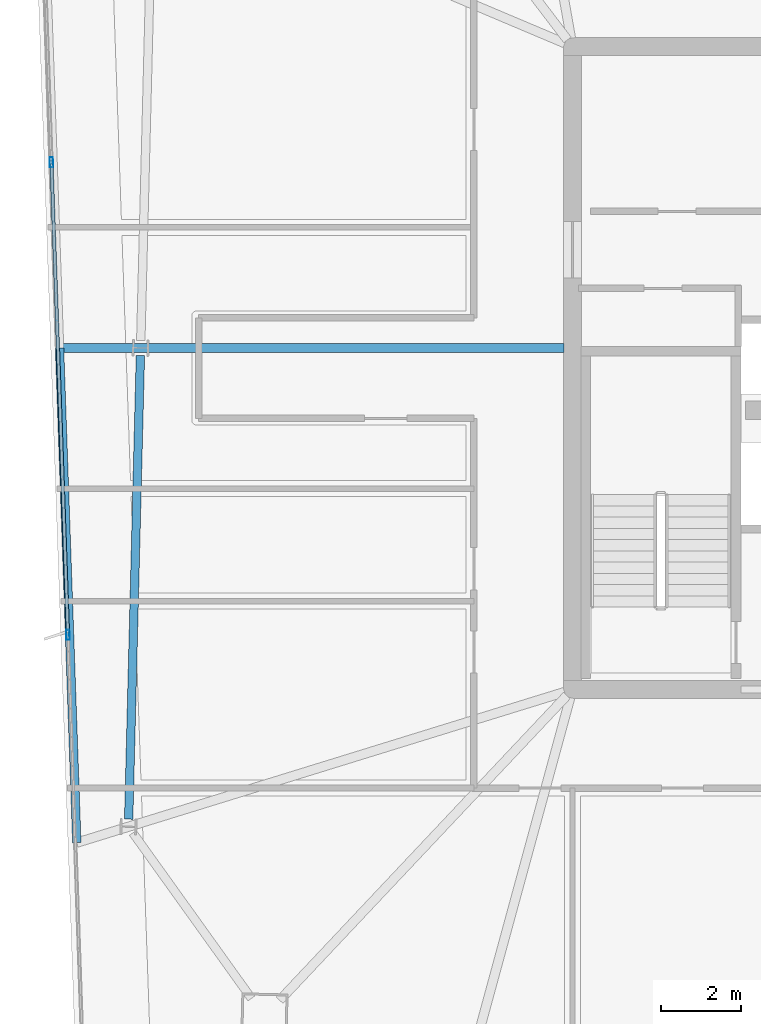
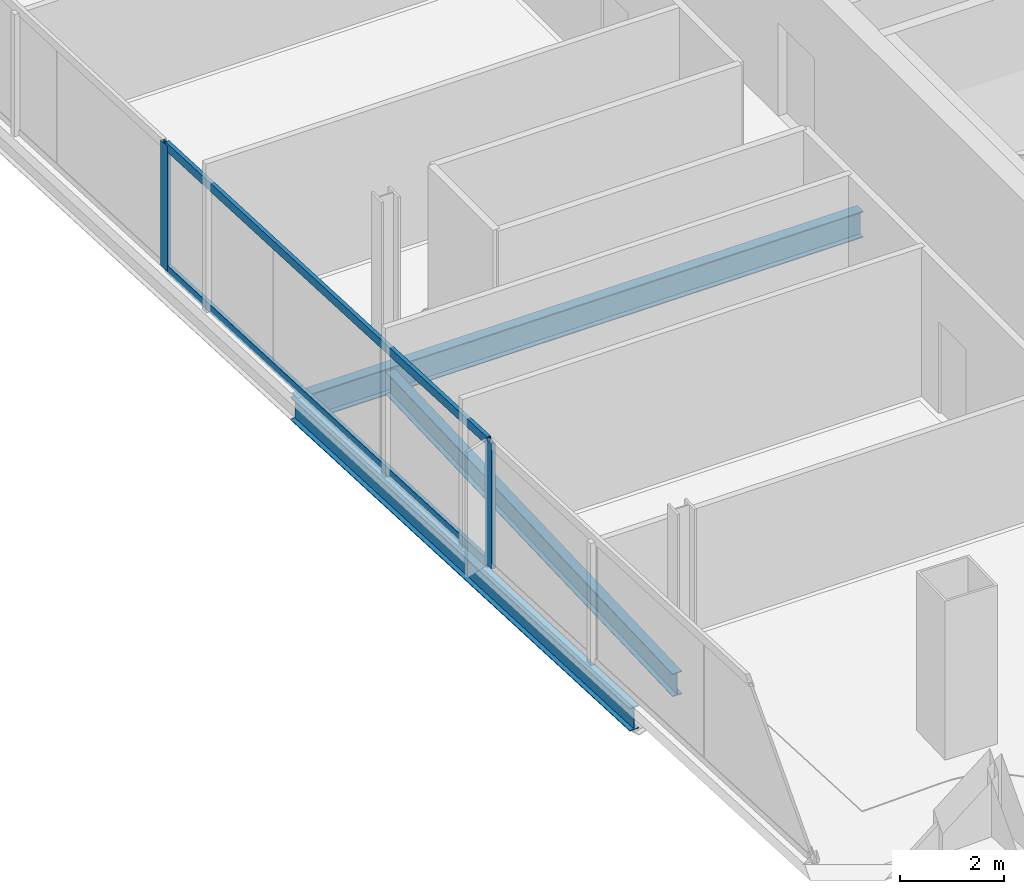
# One storey, part 6 of 23: 4 members, 3 beams, 1 element without a shape of its own.
"""IFC4 building model written with IfcOpenShell, lengths in metres."""

from ifc_helpers import new_model, si_unit, direction, frame, origin, origin_2d, place, context, subcontext, project, spatial, hollow_rectangle, i_section, extrude, material, material_profile, profile_set, type_object, element, aggregate, save


model = new_model("IFC4")

# Units and contexts
model_context = context("Model", 3, precision=1e-05, world=origin(), true_north=direction((0.0, 1.0)))
body_context = subcontext(model_context, "Body", "Model", "MODEL_VIEW")
ifc_project = project(units=[si_unit("LENGTHUNIT", "METRE"), si_unit("AREAUNIT", "SQUARE_METRE"), si_unit("VOLUMEUNIT", "CUBIC_METRE"), si_unit("PLANEANGLEUNIT", "RADIAN"), si_unit("MASSUNIT", "GRAM", prefix="KILO")], contexts=[model_context])

# Site, building, storey
site_placement = place(None, origin())
site = spatial("IfcSite", under=ifc_project, at=site_placement, CompositionType="ELEMENT")
building_placement = place(site_placement, origin())
building = spatial("IfcBuilding", under=site, at=building_placement, Name="Haldenkirk Collegiate Tower", CompositionType="ELEMENT")
storey_placement = place(building_placement, frame((0.0, 0.0, 336.449951171875)))
storey = spatial("IfcBuildingStorey", under=building, at=storey_placement, Name="L85", CompositionType="ELEMENT", Elevation=336.449951171875)

# Beams
ifc_material_1 = material(Name="Steel ASTM A992 Grade 50", Category="steel")
ifc_material_profile_1 = material_profile(ifc_material_1, i_section(OverallWidth=0.22998046875, OverallDepth=0.616943359375, WebThickness=0.01318359375, FlangeThickness=0.022216796875, at=origin_2d()), Name="W24X94")
ifc_profile_set_1 = profile_set([ifc_material_profile_1], Name="Steel ASTM A992 Grade 50")
beam_type_1 = type_object("IfcBeamType", Name="BM-GIRDER-W24X94", PredefinedType="BEAM", material=ifc_profile_set_1)
beam_1_placement = place(storey_placement, frame((14.2392578125, 26.499755859375, -0.568359375), z_axis=(1.0, 0.0, 0.0), x_axis=(0.0, 1.0, 0.0)))
element("IfcBeam", 1, at=beam_1_placement, inside=storey, type_object=beam_type_1, Name="L85 primary floor girder 12", PredefinedType="BEAM", context=body_context, shape_type="SweptSolid", body=[
    extrude(i_section(OverallWidth=0.22998046875, OverallDepth=0.616943359375, WebThickness=0.01318359375, FlangeThickness=0.022216796875, at=origin_2d()), origin(), (0.0, 0.0, 1.0), 12.5556640625),
])
ifc_material_profile_2 = material_profile(ifc_material_1, i_section(OverallWidth=0.2099609375, OverallDepth=0.537109375, WebThickness=0.010986328125, FlangeThickness=0.017333984375, at=origin_2d()), Name="W21X68")
ifc_profile_set_2 = profile_set([ifc_material_profile_2], Name="Steel ASTM A992 Grade 50")
beam_type_2 = type_object("IfcBeamType", Name="BM-SPANDREL-W21X68", PredefinedType="SPANDREL", material=ifc_profile_set_2)
beam_2_placement = place(storey_placement, frame((16.25146484375, 26.31201171875, -0.528564453125), z_axis=(-0.02528078186, -0.999680389959, 0.0), x_axis=(0.999680389959, -0.02528078186, 0.0)))
element("IfcBeam", 2, at=beam_2_placement, inside=storey, type_object=beam_type_2, Name="L85 perimeter spandrel beam 11", PredefinedType="SPANDREL", context=body_context, shape_type="SweptSolid", body=[
    extrude(i_section(OverallWidth=0.2099609375, OverallDepth=0.537109375, WebThickness=0.010986328125, FlangeThickness=0.017333984375, at=origin_2d()), origin(), (0.0, 0.0, 1.0), 11.540283203125),
])
beam_3_placement = place(storey_placement, frame((14.2392578125, 26.499755859375, -0.528564453125), z_axis=(0.034906024414, -0.999390599045, 0.0), x_axis=(0.999390599045, 0.034906024414, 0.0)))
element("IfcBeam", 3, at=beam_3_placement, inside=storey, type_object=beam_type_2, Name="L85 outer facade edge beam 3B", PredefinedType="SPANDREL", context=body_context, shape_type="SweptSolid", body=[
    extrude(i_section(OverallWidth=0.2099609375, OverallDepth=0.537109375, WebThickness=0.010986328125, FlangeThickness=0.017333984375, at=origin_2d()), origin(), (0.0, 0.0, 1.0), 12.31689453125),
])

# Curtain wall, members
ifc_material_2 = material(Name="Anodised architectural bronze aluminium", Category="aluminium")
curtain_wall_type = type_object("IfcCurtainWallType", Name="CW-SYS1B-CONVEX-HI", PredefinedType="USERDEFINED", material=ifc_material_2)
curtain_wall_placement = place(storey_placement, origin())
curtain_wall = element("IfcCurtainWall", 4, at=curtain_wall_placement, inside=storey, type_object=curtain_wall_type, Name="L85 Upper tower high-wind convex bronze unitised curtain wall", ObjectType="UNITISED CURTAIN WALL", PredefinedType="USERDEFINED")
ifc_material_profile_3 = material_profile(ifc_material_2, hollow_rectangle(XDim=0.0849609375, YDim=0.25, WallThickness=0.0048828125, at=origin_2d()), Name="CW-MUL-1B")
ifc_profile_set_3 = profile_set([ifc_material_profile_3], Name="Anodised architectural bronze aluminium")
member_type_1 = type_object("IfcMemberType", Name="CW-MUL-1B", PredefinedType="MULLION", material=ifc_profile_set_3)
member_1_placement = place(storey_placement, frame((14.44873046875, 19.360595703125, 0.0), z_axis=(0.0, 0.0, 1.0), x_axis=(-0.999390776503, -0.034900943257, 0.0)))
member_1 = element("IfcMember", 5, at=member_1_placement, type_object=member_type_1, Name="CW-1B mullion 2", PredefinedType="MULLION", context=body_context, shape_type="SweptSolid", body=[
    extrude(hollow_rectangle(XDim=0.0849609375, YDim=0.25, WallThickness=0.0048828125, at=origin_2d()), origin(), (0.0, 0.0, 1.0), 2.947998046875),
])
member_2_placement = place(storey_placement, frame((14.0380859375, 31.1201171875, 0.0), z_axis=(0.0, 0.0, 1.0), x_axis=(-0.999390776503, -0.034900943257, 0.0)))
member_2 = element("IfcMember", 6, at=member_2_placement, type_object=member_type_1, Name="CW-1B mullion 3", PredefinedType="MULLION", context=body_context, shape_type="SweptSolid", body=[
    extrude(hollow_rectangle(XDim=0.0849609375, YDim=0.25, WallThickness=0.0048828125, at=origin_2d()), origin(), (0.0, 0.0, 1.0), 2.947998046875),
])
ifc_material_profile_4 = material_profile(ifc_material_2, hollow_rectangle(XDim=0.0849609375, YDim=0.199951171875, WallThickness=0.0048828125, at=origin_2d()), Name="CW-TRN-1B")
ifc_profile_set_4 = profile_set([ifc_material_profile_4], Name="Anodised architectural bronze aluminium")
member_type_2 = type_object("IfcMemberType", Name="CW-TRN-1B", PredefinedType="USERDEFINED", material=ifc_profile_set_4)
member_3_placement = place(storey_placement, frame((14.447265625, 19.403076171875, 0.04248046875), z_axis=(-0.03490207931, 0.999390736829, 0.0), x_axis=(-0.999390736829, -0.03490207931, 0.0)))
member_3 = element("IfcMember", 7, at=member_3_placement, type_object=member_type_2, Name="CW-1B transom 2.1", ObjectType="TRANSOM", PredefinedType="USERDEFINED", context=body_context, shape_type="SweptSolid", body=[
    extrude(hollow_rectangle(XDim=0.0849609375, YDim=0.199951171875, WallThickness=0.0048828125, at=origin_2d()), origin(), (0.0, 0.0, 1.0), 11.681640625),
])
member_4_placement = place(storey_placement, frame((14.447265625, 19.403076171875, 2.905517578125), z_axis=(-0.03490207931, 0.999390736829, 0.0), x_axis=(-0.999390736829, -0.03490207931, 0.0)))
member_4 = element("IfcMember", 8, at=member_4_placement, type_object=member_type_2, Name="CW-1B transom 2.2", ObjectType="TRANSOM", PredefinedType="USERDEFINED", context=body_context, shape_type="SweptSolid", body=[
    extrude(hollow_rectangle(XDim=0.0849609375, YDim=0.199951171875, WallThickness=0.0048828125, at=origin_2d()), origin(), (0.0, 0.0, 1.0), 11.681640625),
])
aggregate(curtain_wall, [member_1, member_2, member_3, member_4])

save(model, "model.ifc")
